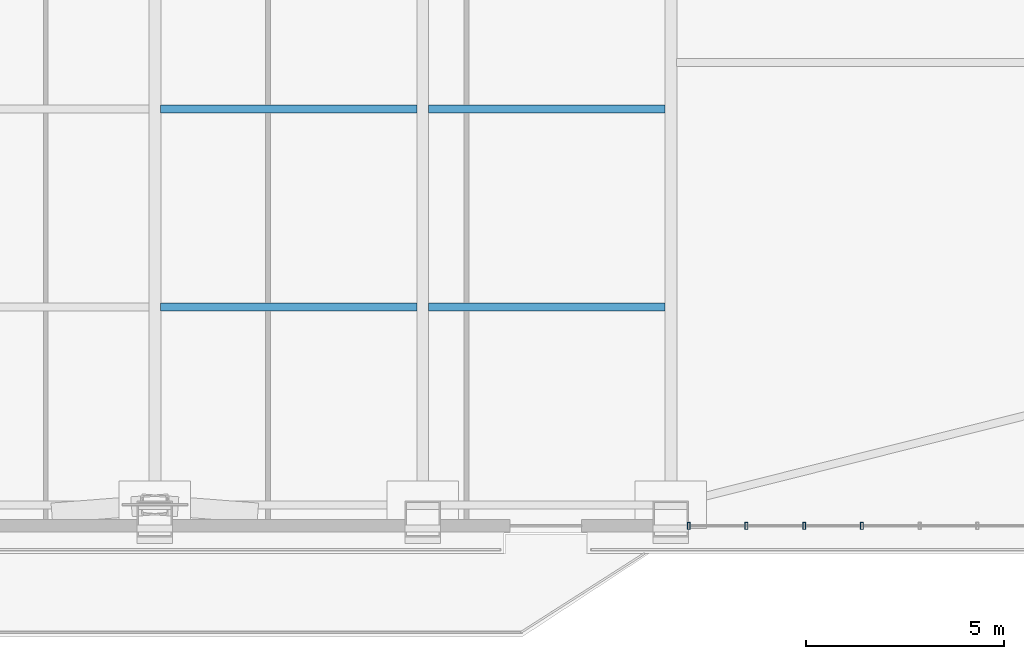
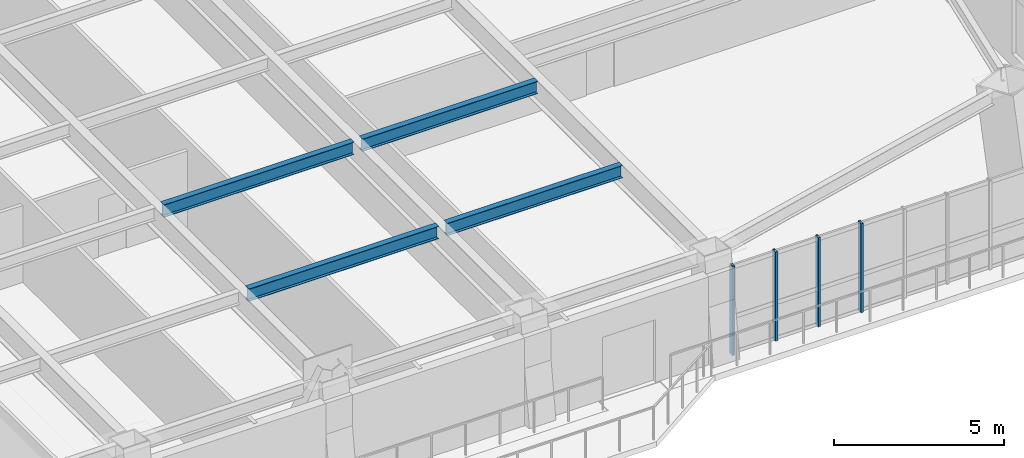
# One storey, part 4 of 15: 4 beams, 4 members, 1 element without a shape of its own.
"""IFC4 building model written with IfcOpenShell, lengths in metres."""

import ifcopenshell
import ifcopenshell.guid

model = None  # the IFC model being written
_history = None  # IfcOwnerHistory: only IFC2X3 demands one
_inside = {}  # id of a spatial element -> (the spatial element, [elements in it])
_under = {}  # id of a project, library or spatial element -> (it, [spatial elements below it])
_declared = {}  # id of a project -> (the project, [libraries it declares])
_typed = {}  # id of a type object -> (the type object, [elements of that type])
_made_of = {}  # id of a material, layer set ... -> (it, [elements and type objects made of it])


def new_model(schema):
    """Start an empty IFC model of exactly this schema.

    Asked for "IFC4X3", IfcOpenShell would pick the latest addendum, in which some entities
    have other attributes; the version numbers below select the first issue.
    IFC2X3 requires an IfcOwnerHistory on every rooted entity: one is made here for all.
    """
    global model, _history
    if schema == "IFC4X3":
        model = ifcopenshell.file(schema_version=(4, 3, 0, 0))
    else:
        model = ifcopenshell.file(schema=schema)
    _inside.clear()
    _under.clear()
    _declared.clear()
    _typed.clear()
    _made_of.clear()
    _history = None
    if model.schema == "IFC2X3":
        org = make("IfcOrganization", Name="unknown")
        user = make(
            "IfcPersonAndOrganization",
            ThePerson=make("IfcPerson", FamilyName="unknown"),
            TheOrganization=org,
        )
        app = make(
            "IfcApplication",
            ApplicationDeveloper=org,
            Version="unknown",
            ApplicationFullName="unknown",
            ApplicationIdentifier="unknown",
        )
        _history = make(
            "IfcOwnerHistory",
            OwningUser=user,
            OwningApplication=app,
            ChangeAction="ADDED",
            CreationDate=0,
        )
    return model


def make(cls, **values):
    """One entity of the class cls with the attributes given. An attribute that is None is left unset."""
    return model.create_entity(
        cls, **{name: value for name, value in values.items() if value is not None}
    )


def rooted(cls, **values):
    """An entity with a GlobalId (a new one), such as an element, a storey or a relation."""
    return make(cls, GlobalId=ifcopenshell.guid.new(), OwnerHistory=_history, **values)


def si_unit(unit_type, name, prefix=None):
    """IfcSIUnit, for example si_unit("LENGTHUNIT", "METRE", prefix="MILLI")."""
    return make("IfcSIUnit", UnitType=unit_type, Prefix=prefix, Name=name)


def assignment(units):
    """IfcUnitAssignment: the units of a project."""
    return None if units is None else make("IfcUnitAssignment", Units=units)


def point(xyz):
    """IfcCartesianPoint."""
    return None if xyz is None else make("IfcCartesianPoint", Coordinates=xyz)


def direction(xyz):
    """IfcDirection."""
    return None if xyz is None else make("IfcDirection", DirectionRatios=xyz)


def frame(location, z_axis=None, x_axis=None):
    """IfcAxis2Placement3D, a coordinate frame: its origin and axes. An axis left out is left unset."""
    return make(
        "IfcAxis2Placement3D",
        Location=point(location),
        Axis=direction(z_axis),
        RefDirection=direction(x_axis),
    )


def frame_2d(location, x_axis=None):
    """IfcAxis2Placement2D, a coordinate frame in the plane: its origin and x axis."""
    return make(
        "IfcAxis2Placement2D", Location=point(location), RefDirection=direction(x_axis)
    )


def origin():
    """The frame at (0, 0, 0) with its axes left unset."""
    return frame((0.0, 0.0, 0.0))


def origin_2d():
    """The frame at (0, 0) in the plane with its x axis left unset."""
    return frame_2d((0.0, 0.0))


def place(relative_to, where):
    """IfcLocalPlacement: puts the frame where relative to a parent placement (None: the world)."""
    return make(
        "IfcLocalPlacement", PlacementRelTo=relative_to, RelativePlacement=where
    )


def context(
    kind, dimensions, precision=None, world=None, true_north=None, identifier=None
):
    """IfcGeometricRepresentationContext, for example the 3D "Model" context."""
    return make(
        "IfcGeometricRepresentationContext",
        ContextIdentifier=identifier,
        ContextType=kind,
        CoordinateSpaceDimension=dimensions,
        Precision=precision,
        WorldCoordinateSystem=world,
        TrueNorth=true_north,
    )


def subcontext(parent, identifier, kind, view, scale=None):
    """IfcGeometricRepresentationSubContext, for example "Body" below "Model"."""
    return make(
        "IfcGeometricRepresentationSubContext",
        ContextIdentifier=identifier,
        ContextType=kind,
        ParentContext=parent,
        TargetScale=scale,
        TargetView=view,
    )


def project(units=None, contexts=None):
    """IfcProject with its units and contexts."""
    return rooted(
        "IfcProject",
        Name="project",
        RepresentationContexts=contexts,
        UnitsInContext=assignment(units),
    )


def spatial(cls, under=None, at=None, **own):
    """A site, building, storey or space (cls), placed at a placement, below another one or the project."""
    s = rooted(cls, ObjectPlacement=at, **own)
    if under is not None:
        _under.setdefault(under.id(), (under, []))[1].append(s)
    return s


def profile(cls, at=None, kind="AREA", **sizes):
    """A parametric profile (cls). Its sizes go by their IFC names, for example OverallWidth=200.0."""
    return make(cls, ProfileType=kind, Position=at, **sizes)


def hollow_rectangle(**sizes):
    """IfcRectangleHollowProfileDef."""
    return profile("IfcRectangleHollowProfileDef", **sizes)


def i_section(**sizes):
    """IfcIShapeProfileDef."""
    return profile("IfcIShapeProfileDef", **sizes)


def extrude(swept, where, along, depth):
    """IfcExtrudedAreaSolid: the profile swept, set in the frame where, extruded along a direction by depth."""
    return make(
        "IfcExtrudedAreaSolid",
        SweptArea=swept,
        Position=where,
        ExtrudedDirection=direction(along),
        Depth=depth,
    )


def shape(context_of_items, identifier, shape_type, items):
    """IfcShapeRepresentation: the items that make up one representation, for example the "Body"."""
    return make(
        "IfcShapeRepresentation",
        ContextOfItems=context_of_items,
        RepresentationIdentifier=identifier,
        RepresentationType=shape_type,
        Items=items,
    )


def source(mapping_origin, context_of_items, identifier, shape_type, items):
    """IfcRepresentationMap: a shape defined once, which mapped items show again and again."""
    return make(
        "IfcRepresentationMap",
        MappingOrigin=mapping_origin,
        MappedRepresentation=shape(context_of_items, identifier, shape_type, items),
    )


def transform(
    local_origin,
    x_axis=None,
    y_axis=None,
    z_axis=None,
    scale=None,
    scale2=None,
    scale3=None,
    uniform=True,
):
    """IfcCartesianTransformationOperator3D, or its non-uniform kind. x_axis, y_axis, z_axis: its Axis1, 2, 3."""
    if uniform:
        return make(
            "IfcCartesianTransformationOperator3D",
            Axis1=direction(x_axis),
            Axis2=direction(y_axis),
            LocalOrigin=point(local_origin),
            Scale=scale,
            Axis3=direction(z_axis),
        )
    return make(
        "IfcCartesianTransformationOperator3DnonUniform",
        Axis1=direction(x_axis),
        Axis2=direction(y_axis),
        LocalOrigin=point(local_origin),
        Scale=scale,
        Axis3=direction(z_axis),
        Scale2=scale2,
        Scale3=scale3,
    )


def mapped(mapping_source, mapping_target):
    """IfcMappedItem: shows the shape of a source again, moved by a transform."""
    return make(
        "IfcMappedItem", MappingSource=mapping_source, MappingTarget=mapping_target
    )


def material(Name=None, Category=None):
    """IfcMaterial."""
    return make("IfcMaterial", Name=Name, Category=Category)


def layer(
    of_material, thickness, ventilated=None, Name=None, Category=None, Priority=None
):
    """IfcMaterialLayer: one layer of a wall or slab, of a material (None: an air gap)."""
    return make(
        "IfcMaterialLayer",
        Material=of_material,
        LayerThickness=thickness,
        IsVentilated=ventilated,
        Name=Name,
        Category=Category,
        Priority=Priority,
    )


def layer_set(layers, Name=None):
    """IfcMaterialLayerSet."""
    return make("IfcMaterialLayerSet", MaterialLayers=layers, LayerSetName=Name)


def material_profile(
    of_material, cross_section, Name=None, Category=None, Priority=None
):
    """IfcMaterialProfile: a cross section and its material."""
    return make(
        "IfcMaterialProfile",
        Name=Name,
        Material=of_material,
        Profile=cross_section,
        Priority=Priority,
        Category=Category,
    )


def profile_set(profiles, Name=None, composite=None):
    """IfcMaterialProfileSet."""
    return make(
        "IfcMaterialProfileSet",
        Name=Name,
        MaterialProfiles=profiles,
        CompositeProfile=composite,
    )


def made_of(thing, what):
    """Note that an element or type object is made of a material, layer set ...; save() writes the relation."""
    if what is not None:
        _made_of.setdefault(what.id(), (what, []))[1].append(thing)
    return thing


def type_object(cls, material=None, **own):
    """A type object (cls), such as IfcWallType, which elements share."""
    return made_of(rooted(cls, **own), material)


def element(
    cls,
    number,
    at=None,
    inside=None,
    cuts=None,
    type_object=None,
    material=None,
    context=None,
    identifier="Body",
    shape_type=None,
    held_by="IfcProductDefinitionShape",
    body=None,
    shapes=None,
    **own,
):
    """One element of the class cls, such as IfcWall. Its Tag is "e" and its number.

    at: its placement. inside: the storey or other place that contains it. cuts: it is an
    opening in that element (IfcRelVoidsElement). A single representation is given by context,
    identifier, shape_type and body (its items); several are given by shapes. held_by: the class
    of the entity that holds the representations. save() writes the other relations.
    """
    e = rooted(cls, Tag="e%d" % number, ObjectPlacement=at, **own)
    if body is not None:
        shapes = [shape(context, identifier, shape_type, body)]
    if shapes is not None:
        e.Representation = make(held_by, Representations=shapes)
    if inside is not None:
        _inside.setdefault(inside.id(), (inside, []))[1].append(e)
    if cuts is not None:
        rooted(
            "IfcRelVoidsElement", RelatingBuildingElement=cuts, RelatedOpeningElement=e
        )
    if type_object is not None:
        _typed.setdefault(type_object.id(), (type_object, []))[1].append(e)
    return made_of(e, material)


def aggregate(whole, parts):
    """IfcRelAggregates: a whole, such as a stair, and the parts it consists of."""
    return rooted("IfcRelAggregates", RelatingObject=whole, RelatedObjects=parts)


def save(model, path):
    """Write the relations noted so far, then the file.

    IfcRelAggregates (storeys below a building ...), IfcRelContainedInSpatialStructure (elements
    in a storey), IfcRelDefinesByType, IfcRelAssociatesMaterial and IfcRelDeclares: one each for
    every whole, place, type object, material and project.
    """
    for whole, parts in _under.values():
        aggregate(whole, parts)
    for where, things in _inside.values():
        rooted(
            "IfcRelContainedInSpatialStructure",
            RelatedElements=things,
            RelatingStructure=where,
        )
    for kind, things in _typed.values():
        rooted("IfcRelDefinesByType", RelatedObjects=things, RelatingType=kind)
    for what, things in _made_of.values():
        rooted("IfcRelAssociatesMaterial", RelatedObjects=things, RelatingMaterial=what)
    for by, libraries in _declared.values():
        rooted("IfcRelDeclares", RelatingContext=by, RelatedDefinitions=libraries)
    model.write(path)


model = new_model("IFC4")

# Units and contexts
model_context = context("Model", 3, precision=1e-05, world=origin(), true_north=direction((0.0, 1.0)))
body_context = subcontext(model_context, "Body", "Model", "MODEL_VIEW")
ifc_project = project(units=[si_unit("LENGTHUNIT", "METRE"), si_unit("AREAUNIT", "SQUARE_METRE"), si_unit("VOLUMEUNIT", "CUBIC_METRE"), si_unit("PLANEANGLEUNIT", "RADIAN"), si_unit("MASSUNIT", "GRAM", prefix="KILO")], contexts=[model_context])

# Site, building, storey
site_placement = place(None, origin())
site = spatial("IfcSite", under=ifc_project, at=site_placement, CompositionType="ELEMENT")
building_placement = place(site_placement, origin())
building = spatial("IfcBuilding", under=site, at=building_placement, Name="Giltprow Tower", CompositionType="ELEMENT")
storey_placement = place(building_placement, frame((0.0, 0.0, 119.199951171875)))
storey = spatial("IfcBuildingStorey", under=building, at=storey_placement, Name="L29", CompositionType="ELEMENT", Elevation=119.199951171875)

# Beams
ifc_material_1 = material(Name="Structural steel Q355B", Category="steel")
ifc_material_profile_1 = material_profile(ifc_material_1, i_section(OverallWidth=0.199951171875, OverallDepth=0.449951171875, WebThickness=0.009033203125, FlangeThickness=0.013916015625, at=origin_2d()), Name="HN 450x200x9x14")
ifc_profile_set_1 = profile_set([ifc_material_profile_1], Name="Structural steel Q355B")
beam_type = type_object("IfcBeamType", Name="BM-JOIST-HN450", PredefinedType="JOIST", material=ifc_profile_set_1)
shared_shape_1 = source(origin(), body_context, "Body", "SweptSolid", [
    extrude(i_section(OverallWidth=0.199951171875, OverallDepth=0.449951171875, WebThickness=0.009033203125, FlangeThickness=0.013916015625, at=origin_2d()), origin(), (0.0, 0.0, 1.0), 6.4599609375),
])
for number, where, z_axis, x_axis, name in (
    (1, (37.695068359375, 12.507080078125, 3.455078125), (1.0, 0.0, 0.0), (0.0, 1.0, 0.0), "L29 Composite Floor Joist 1-3"),
    (2, (37.695068359375, 17.4951171875, 3.455078125), (1.0, 0.0, 0.0), (0.0, 1.0, 0.0), "L29 Composite Floor Joist 2-3"),
):
    element("IfcBeam", number, at=place(storey_placement, frame(where, z_axis=z_axis, x_axis=x_axis)), inside=storey, type_object=beam_type, Name=name, PredefinedType="JOIST", context=body_context, shape_type="MappedRepresentation", body=[
        mapped(shared_shape_1, transform((0.0, 0.0, 0.0), x_axis=(1.0, 0.0, 0.0), y_axis=(0.0, 1.0, 0.0), z_axis=(0.0, 0.0, 1.0), scale=1.0)),
    ])
shared_shape_2 = source(origin(), body_context, "Body", "SweptSolid", [
    extrude(i_section(OverallWidth=0.199951171875, OverallDepth=0.449951171875, WebThickness=0.009033203125, FlangeThickness=0.013916015625, at=origin_2d()), origin(), (0.0, 0.0, 1.0), 5.9599609375),
])
for number, where, z_axis, x_axis, name in (
    (3, (44.445068359375, 12.507080078125, 3.455078125), (1.0, 0.0, 0.0), (0.0, 1.0, 0.0), "L29 Composite Floor Joist 1-4"),
    (4, (44.445068359375, 17.4951171875, 3.455078125), (1.0, 0.0, 0.0), (0.0, 1.0, 0.0), "L29 Composite Floor Joist 2-4"),
):
    element("IfcBeam", number, at=place(storey_placement, frame(where, z_axis=z_axis, x_axis=x_axis)), inside=storey, type_object=beam_type, Name=name, PredefinedType="JOIST", context=body_context, shape_type="MappedRepresentation", body=[
        mapped(shared_shape_2, transform((0.0, 0.0, 0.0), x_axis=(1.0, 0.0, 0.0), y_axis=(0.0, 1.0, 0.0), z_axis=(0.0, 0.0, 1.0), scale=1.0)),
    ])

# Curtain wall, members
ifc_material_2 = material(Name="Anodized bronze", Category="metal")
ifc_layer = layer(ifc_material_2, 0.179931640625, Name="Anodized bronze")
ifc_layer_set = layer_set([ifc_layer], Name="Anodized bronze")
curtain_wall_type = type_object("IfcCurtainWallType", Name="CW-OFF-RECESSED", PredefinedType="NOTDEFINED", material=ifc_layer_set)
curtain_wall_placement = place(storey_placement, origin())
curtain_wall = element("IfcCurtainWall", 5, at=curtain_wall_placement, inside=storey, type_object=curtain_wall_type, Name="L29 South Recessed Curtain Wall 6", PredefinedType="NOTDEFINED")
ifc_material_profile_2 = material_profile(ifc_material_2, hollow_rectangle(XDim=0.074951171875, YDim=0.179931640625, WallThickness=0.008056640625, at=origin_2d()), Name="RHS 180x75x8")
ifc_profile_set_2 = profile_set([ifc_material_profile_2], Name="Anodized bronze")
member_type = type_object("IfcMemberType", Name="CW-MULLION-180x75", PredefinedType="MULLION", material=ifc_profile_set_2)
shared_shape_3 = source(origin(), body_context, "Body", "SweptSolid", [
    extrude(hollow_rectangle(XDim=0.074951171875, YDim=0.179931640625, WallThickness=0.008056640625, at=origin_2d()), origin(), (0.0, 0.0, 1.0), 3.215087890625),
])
member_1_placement = place(storey_placement, frame((51.0, 6.989990234375, -0.02001953125), z_axis=(0.0, 0.0, 1.0), x_axis=(1.0, 0.0, 0.0)))
member_1 = element("IfcMember", 6, at=member_1_placement, type_object=member_type, Name="L29 South Recessed Curtain Wall 6 Mullion 1", PredefinedType="MULLION", context=body_context, shape_type="MappedRepresentation", body=[
    mapped(shared_shape_3, transform((0.0, 0.0, 0.0), x_axis=(1.0, 0.0, 0.0), y_axis=(0.0, 1.0, 0.0), z_axis=(0.0, 0.0, 1.0), scale=1.0)),
])
member_2_placement = place(storey_placement, frame((52.455078125, 6.989990234375, -0.02001953125), z_axis=(0.0, 0.0, 1.0), x_axis=(1.0, 0.0, 0.0)))
member_2 = element("IfcMember", 7, at=member_2_placement, type_object=member_type, Name="L29 South Recessed Curtain Wall 6 Mullion 2", PredefinedType="MULLION", context=body_context, shape_type="MappedRepresentation", body=[
    mapped(shared_shape_3, transform((0.0, 0.0, 0.0), x_axis=(1.0, 0.0, 0.0), y_axis=(0.0, 1.0, 0.0), z_axis=(0.0, 0.0, 1.0), scale=1.0)),
])
member_3_placement = place(storey_placement, frame((53.909912109375, 6.989990234375, -0.02001953125), z_axis=(0.0, 0.0, 1.0), x_axis=(1.0, 0.0, 0.0)))
member_3 = element("IfcMember", 8, at=member_3_placement, type_object=member_type, Name="L29 South Recessed Curtain Wall 6 Mullion 3", PredefinedType="MULLION", context=body_context, shape_type="MappedRepresentation", body=[
    mapped(shared_shape_3, transform((0.0, 0.0, 0.0), x_axis=(1.0, 0.0, 0.0), y_axis=(0.0, 1.0, 0.0), z_axis=(0.0, 0.0, 1.0), scale=1.0)),
])
member_4_placement = place(storey_placement, frame((55.364990234375, 6.989990234375, -0.02001953125), z_axis=(0.0, 0.0, 1.0), x_axis=(1.0, 0.0, 0.0)))
member_4 = element("IfcMember", 9, at=member_4_placement, type_object=member_type, Name="L29 South Recessed Curtain Wall 6 Mullion 4", PredefinedType="MULLION", context=body_context, shape_type="MappedRepresentation", body=[
    mapped(shared_shape_3, transform((0.0, 0.0, 0.0), x_axis=(1.0, 0.0, 0.0), y_axis=(0.0, 1.0, 0.0), z_axis=(0.0, 0.0, 1.0), scale=1.0)),
])
aggregate(curtain_wall, [member_1, member_2, member_3, member_4])

save(model, "model.ifc")
